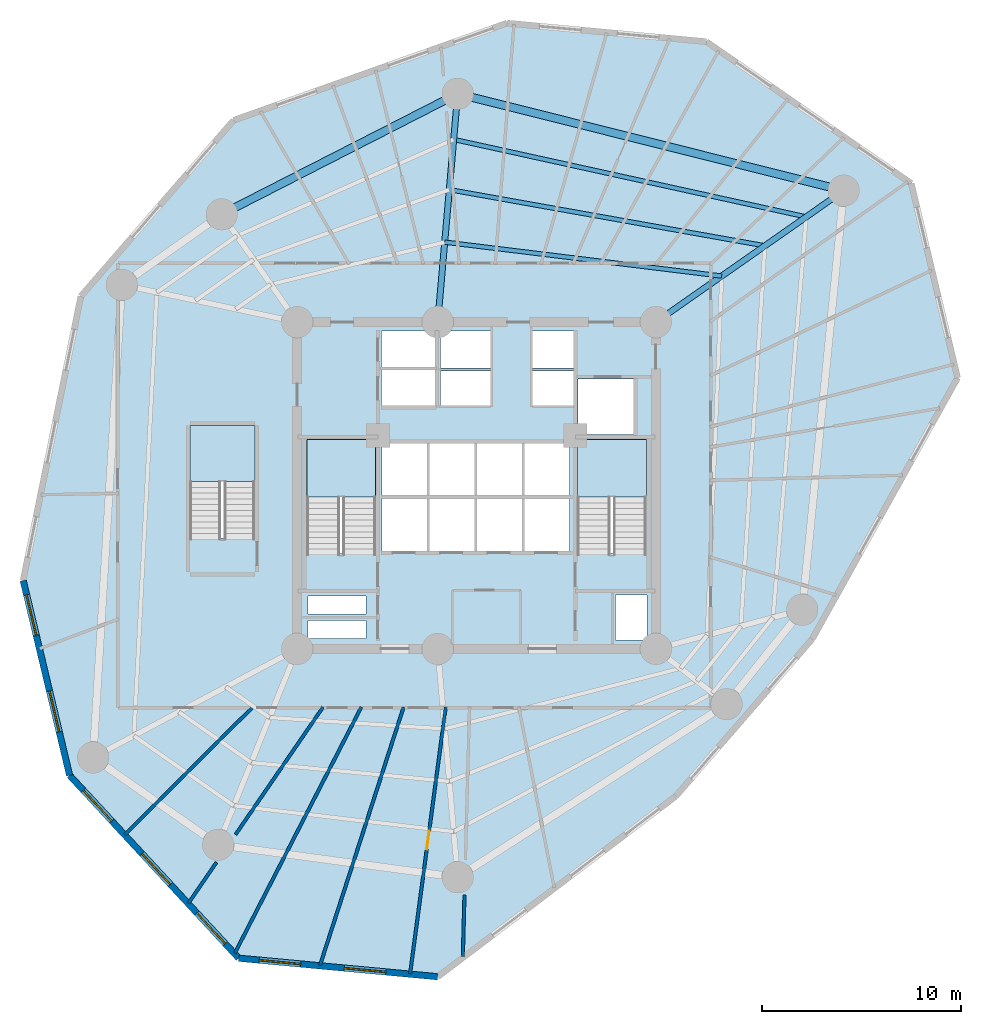
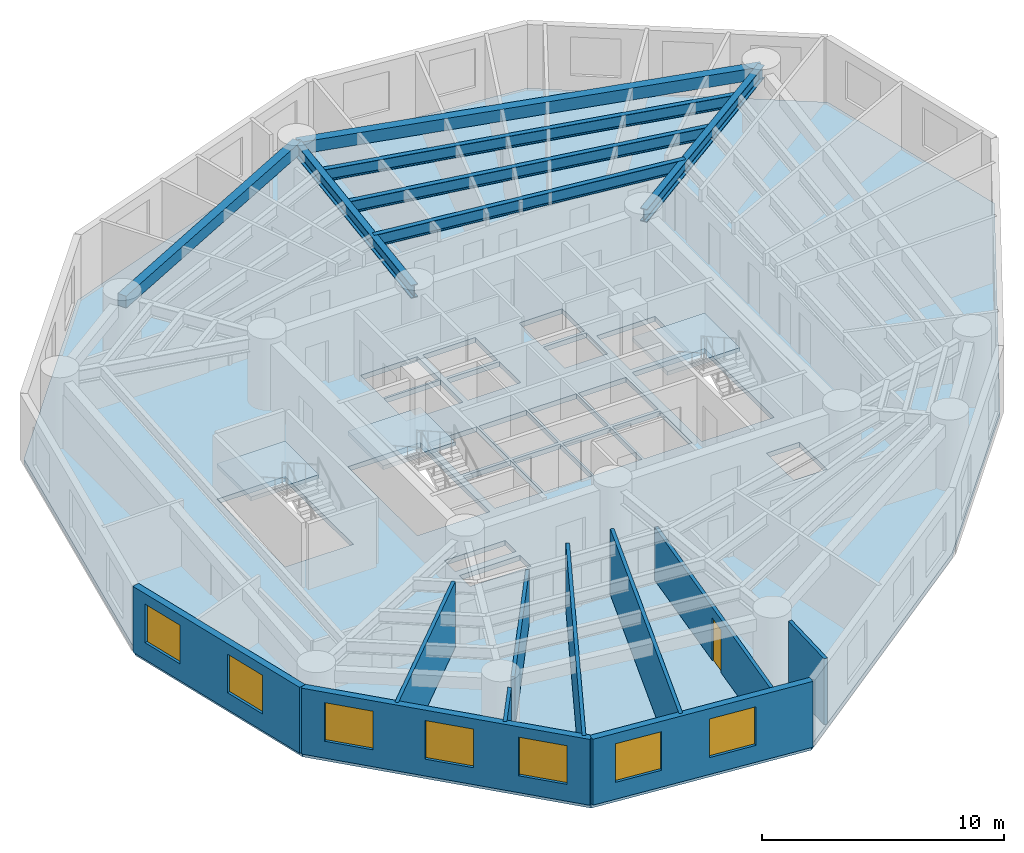
# One storey, part 2 of 8: 10 walls, 7 beams, 7 windows, 4 slabs, 1 door, 8 openings, 3 elements without a shape of their own.
"""IFC4 building model written with IfcOpenShell, lengths in metres."""

from ifc_helpers import new_model, si_unit, direction, frame, frame_2d, origin, origin_with_axes, origin_2d, place, context, subcontext, project, spatial, polyline, rectangle, i_section, outline, extrude, source, transform, mapped, material, layer, layer_set, material_profile, profile_set, type_object, element, fill, aggregate, save


model = new_model("IFC4")

# Units and contexts
model_context = context("Model", 3, precision=1e-05, world=origin(), true_north=direction((0.0, 1.0)))
body_context = subcontext(model_context, "Body", "Model", "MODEL_VIEW")
ifc_project = project(units=[si_unit("LENGTHUNIT", "METRE"), si_unit("AREAUNIT", "SQUARE_METRE"), si_unit("VOLUMEUNIT", "CUBIC_METRE"), si_unit("PLANEANGLEUNIT", "RADIAN"), si_unit("MASSUNIT", "GRAM", prefix="KILO")], contexts=[model_context])

# Site, building, storey
site_placement = place(None, origin())
site = spatial("IfcSite", under=ifc_project, at=site_placement, CompositionType="ELEMENT")
building_placement = place(site_placement, origin())
building = spatial("IfcBuilding", under=site, at=building_placement, Name="Karkom Vertical University and Central Library", CompositionType="ELEMENT")
storey_placement = place(building_placement, frame((0.0, 0.0, 84.10009765625)))
storey = spatial("IfcBuildingStorey", under=building, at=storey_placement, Name="L22", CompositionType="ELEMENT", Elevation=84.10009765625)

# Beams
ifc_material_1 = material(Name="Steel S355", Category="steel")
ifc_material_profile_1 = material_profile(ifc_material_1, i_section(OverallWidth=0.300048828125, OverallDepth=0.64990234375, WebThickness=0.01611328125, FlangeThickness=0.031005859375, FilletRadius=0.027099609375, at=origin_2d()), Name="HE 650 B")
ifc_profile_set_1 = profile_set([ifc_material_profile_1], Name="Steel S355")
beam_type_1 = type_object("IfcBeamType", Name="STR-BM-SB-HE650", PredefinedType="USERDEFINED", material=ifc_profile_set_1)
shared_shape_1 = source(origin_with_axes(), body_context, "Body", "SweptSolid", [
    extrude(i_section(OverallWidth=0.300048828125, OverallDepth=0.64990234375, WebThickness=0.01611328125, FlangeThickness=0.031005859375, FilletRadius=0.027099609375, at=origin_2d()), origin(), (0.0, 0.0, 1.0), 11.49951171875),
])
beam_1_placement = place(storey_placement, frame((37.5, 34.699951171875, 3.0), z_axis=(0.81915012564, 0.573579176457, 0.0), x_axis=(-0.573579176457, 0.81915012564, 0.0)))
element("IfcBeam", 1, at=beam_1_placement, inside=storey, type_object=beam_type_1, Name="Level 22 Radial Frame Girder 02", ObjectType="GIRDER", PredefinedType="USERDEFINED", context=body_context, shape_type="MappedRepresentation", body=[
    mapped(shared_shape_1, transform((0.0, 0.0, 0.0), scale=1.0)),
])
shared_shape_2 = source(origin_with_axes(), body_context, "Body", "SweptSolid", [
    extrude(i_section(OverallWidth=0.300048828125, OverallDepth=0.64990234375, WebThickness=0.01611328125, FlangeThickness=0.031005859375, FilletRadius=0.027099609375, at=origin_2d()), origin(), (0.0, 0.0, 1.0), 11.499755859375),
])
beam_2_placement = place(storey_placement, frame((26.550048828125, 34.699951171875, 3.0), z_axis=(0.087127973109, 0.99619712723, 0.0), x_axis=(-0.99619712723, 0.087127973109, 0.0)))
element("IfcBeam", 2, at=beam_2_placement, inside=storey, type_object=beam_type_1, Name="Level 22 Radial Frame Girder 03", ObjectType="GIRDER", PredefinedType="USERDEFINED", context=body_context, shape_type="MappedRepresentation", body=[
    mapped(shared_shape_2, transform((0.0, 0.0, 0.0), scale=1.0)),
])
ifc_material_2 = material(Name="Precast concrete C45/55", Category="concrete")
ifc_material_profile_2 = material_profile(ifc_material_2, rectangle(XDim=0.39990234375, YDim=0.60009765625, at=origin_2d()), Name="SPB-400x600")
ifc_profile_set_2 = profile_set([ifc_material_profile_2], Name="Precast concrete C45/55")
beam_type_2 = type_object("IfcBeamType", Name="STR-BM-SP-1", PredefinedType="SPANDREL", material=ifc_profile_set_2)
shared_shape_3 = source(origin_with_axes(), body_context, "Body", "SweptSolid", [
    extrude(rectangle(XDim=0.39990234375, YDim=0.60009765625, at=origin_2d()), origin(), (0.0, 0.0, 1.0), 19.968505859375),
])
beam_3_placement = place(storey_placement, frame((46.919921875, 41.2958984375, 3.02490234375), z_axis=(-0.969928522391, 0.243389937039, 0.0), x_axis=(-0.243389937039, -0.969928522391, 0.0)))
element("IfcBeam", 3, at=beam_3_placement, inside=storey, type_object=beam_type_2, Name="Level 22 Perimeter Spandrel Beam 02", PredefinedType="SPANDREL", context=body_context, shape_type="MappedRepresentation", body=[
    mapped(shared_shape_3, transform((0.0, 0.0, 0.0), scale=1.0)),
])
shared_shape_4 = source(origin_with_axes(), body_context, "Body", "SweptSolid", [
    extrude(rectangle(XDim=0.39990234375, YDim=0.60009765625, at=origin_2d()), origin(), (0.0, 0.0, 1.0), 13.29443359375),
])
beam_4_placement = place(storey_placement, frame((27.552001953125, 46.156005859375, 3.02490234375), z_axis=(-0.890447746793, -0.455085497716, 0.0), x_axis=(0.455085497716, -0.890447746793, 0.0)))
element("IfcBeam", 4, at=beam_4_placement, inside=storey, type_object=beam_type_2, Name="Level 22 Perimeter Spandrel Beam 03", PredefinedType="SPANDREL", context=body_context, shape_type="MappedRepresentation", body=[
    mapped(shared_shape_4, transform((0.0, 0.0, 0.0), scale=1.0)),
])
ifc_material_profile_3 = material_profile(ifc_material_1, i_section(OverallWidth=0.219970703125, OverallDepth=0.60009765625, WebThickness=0.011962890625, FlangeThickness=0.01904296875, FilletRadius=0.02392578125, at=origin_2d()), Name="IPE 600")
ifc_profile_set_3 = profile_set([ifc_material_profile_3], Name="Steel S355")
beam_type_3 = type_object("IfcBeamType", Name="STR-BM-SB-IPE600", PredefinedType="BEAM", material=ifc_profile_set_3)
shared_shape_5 = source(origin_with_axes(), body_context, "Body", "SweptSolid", [
    extrude(i_section(OverallWidth=0.219970703125, OverallDepth=0.60009765625, WebThickness=0.011962890625, FlangeThickness=0.01904296875, FilletRadius=0.02392578125, at=origin_2d()), origin(), (0.0, 0.0, 1.0), 14.000244140625),
])
beam_5_placement = place(storey_placement, frame((40.797119140625, 37.008544921875, 3.02490234375), z_axis=(-0.992590166403, 0.121510335198, 0.0), x_axis=(-0.121510335198, -0.992590166403, 0.0)))
element("IfcBeam", 5, at=beam_5_placement, inside=storey, type_object=beam_type_3, Name="Level 22 Secondary Composite Floor Beam 1.02", PredefinedType="BEAM", context=body_context, shape_type="MappedRepresentation", body=[
    mapped(shared_shape_5, transform((0.0, 0.0, 0.0), scale=1.0)),
])
shared_shape_6 = source(origin_with_axes(), body_context, "Body", "SweptSolid", [
    extrude(i_section(OverallWidth=0.219970703125, OverallDepth=0.60009765625, WebThickness=0.011962890625, FlangeThickness=0.01904296875, FilletRadius=0.02392578125, at=origin_2d()), origin(), (0.0, 0.0, 1.0), 16.08154296875),
])
beam_6_placement = place(storey_placement, frame((42.963623046875, 38.525634765625, 3.02490234375), z_axis=(-0.984517708807, 0.175285142111, 0.0), x_axis=(-0.175285142111, -0.984517708807, 0.0)))
element("IfcBeam", 6, at=beam_6_placement, inside=storey, type_object=beam_type_3, Name="Level 22 Secondary Composite Floor Beam 2.02", PredefinedType="BEAM", context=body_context, shape_type="MappedRepresentation", body=[
    mapped(shared_shape_6, transform((0.0, 0.0, 0.0), scale=1.0)),
])
shared_shape_7 = source(origin_with_axes(), body_context, "Body", "SweptSolid", [
    extrude(i_section(OverallWidth=0.219970703125, OverallDepth=0.60009765625, WebThickness=0.011962890625, FlangeThickness=0.01904296875, FilletRadius=0.02392578125, at=origin_2d()), origin(), (0.0, 0.0, 1.0), 18.106689453125),
])
beam_7_placement = place(storey_placement, frame((45.035888671875, 39.976806640625, 3.02490234375), z_axis=(-0.976674731786, 0.214724167926, 0.0), x_axis=(-0.214724167926, -0.976674731786, 0.0)))
element("IfcBeam", 7, at=beam_7_placement, inside=storey, type_object=beam_type_3, Name="Level 22 Secondary Composite Floor Beam 3.02", PredefinedType="BEAM", context=body_context, shape_type="MappedRepresentation", body=[
    mapped(shared_shape_7, transform((0.0, 0.0, 0.0), scale=1.0)),
])

# Stair, slab
ifc_material_3 = material(Name="Concrete C45/55", Category="concrete")
stair_type_1 = type_object("IfcStairType", Name="INT-STR-ST-MAIN", PredefinedType="HALF_TURN_STAIR", material=ifc_material_3)
stair_1_placement = place(storey_placement, origin())
stair_1 = element("IfcStair", 8, at=stair_1_placement, inside=storey, type_object=stair_type_1, Name="Level 22 Tower Protected Exit Stair ST-1", PredefinedType="HALF_TURN_STAIR")
ifc_layer_1 = layer(ifc_material_3, 0.199951171875)
ifc_layer_set_1 = layer_set([ifc_layer_1], Name="Concrete C45/55")
slab_type_1 = type_object("IfcSlabType", Name="INT-SLB-LANDING", PredefinedType="LANDING", material=ifc_layer_set_1)
slab_1_placement = place(storey_placement, frame((0.0, 0.0, 1.599853515625)))
slab_1 = element("IfcSlab", 9, at=slab_1_placement, type_object=slab_type_1, Name="ST-1 landing 1", PredefinedType="LANDING", context=body_context, shape_type="SweptSolid", body=[
    extrude(outline(polyline([(23.43994140625, 25.919921875), (23.43994140625, 28.820068359375), (19.97998046875, 28.820068359375), (19.97998046875, 25.919921875), (23.43994140625, 25.919921875)])), origin(), (0.0, 0.0, 1.0), 0.199951171875),
])
aggregate(stair_1, [slab_1])

stair_2_placement = place(storey_placement, origin())
stair_2 = element("IfcStair", 10, at=stair_2_placement, inside=storey, type_object=stair_type_1, Name="Level 22 Tower Protected Exit Stair ST-2", PredefinedType="HALF_TURN_STAIR")
slab_2_placement = place(storey_placement, frame((0.0, 0.0, 1.599853515625)))
slab_2 = element("IfcSlab", 11, at=slab_2_placement, type_object=slab_type_1, Name="ST-2 landing 1", PredefinedType="LANDING", context=body_context, shape_type="SweptSolid", body=[
    extrude(outline(polyline([(37.02001953125, 25.919921875), (37.02001953125, 28.820068359375), (33.56005859375, 28.820068359375), (33.56005859375, 25.919921875), (37.02001953125, 25.919921875)])), origin(), (0.0, 0.0, 1.0), 0.199951171875),
])
aggregate(stair_2, [slab_2])

stair_type_2 = type_object("IfcStairType", Name="INT-STR-ST-SEC", PredefinedType="HALF_TURN_STAIR", material=ifc_material_3)
stair_3_placement = place(storey_placement, origin())
stair_3 = element("IfcStair", 12, at=stair_3_placement, inside=storey, type_object=stair_type_2, Name="Level 22 Academic Zone Protected Exit Stair ST-3", PredefinedType="HALF_TURN_STAIR")
slab_3_placement = place(storey_placement, frame((0.0, 0.0, 1.599853515625)))
slab_3 = element("IfcSlab", 13, at=slab_3_placement, type_object=slab_type_1, Name="ST-3 landing 1", PredefinedType="LANDING", context=body_context, shape_type="SweptSolid", body=[
    extrude(outline(polyline([(17.3798828125, 26.699951171875), (17.3798828125, 29.5), (14.1201171875, 29.5), (14.1201171875, 26.699951171875), (17.3798828125, 26.699951171875)])), origin(), (0.0, 0.0, 1.0), 0.199951171875),
])
aggregate(stair_3, [slab_3])

# Slab
ifc_layer_2 = layer(ifc_material_3, 0.25)
ifc_layer_set_2 = layer_set([ifc_layer_2], Name="Concrete C45/55")
slab_type_2 = type_object("IfcSlabType", Name="STR-SLB-FLR-250", PredefinedType="FLOOR", material=ifc_layer_set_2)
slab_4_placement = place(storey_placement, frame((0.0, 0.0, -0.25)))
element("IfcSlab", 14, at=slab_4_placement, inside=storey, type_object=slab_type_2, Name="Level 22 Tower Structural Floor Slab", PredefinedType="FLOOR", context=body_context, shape_type="SweptSolid", body=[
    extrude(outline(polyline([(16.306884765625, 44.819091796875), (8.64892578125, 35.997314453125), (5.748779296875, 21.7275390625), (8.076904296875, 11.954833984375), (16.562744140625, 2.779541015625), (26.544189453125, 1.85009765625), (38.4970703125, 10.916259765625), (45.334228515625, 18.792724609375), (52.63037109375, 31.9013671875), (50.306884765625, 41.65283203125), (40.030029296875, 48.7646484375), (30.02734375, 49.6962890625), (16.306884765625, 44.819091796875)]), holes=[polyline([(19.97998046875, 23.0849609375), (23.43994140625, 23.0849609375), (23.43994140625, 28.820068359375), (19.97998046875, 28.820068359375), (19.97998046875, 23.0849609375)]), polyline([(33.56005859375, 23.0849609375), (37.02001953125, 23.0849609375), (37.02001953125, 28.820068359375), (33.56005859375, 28.820068359375), (33.56005859375, 23.0849609375)]), polyline([(14.1201171875, 23.864990234375), (17.3798828125, 23.864990234375), (17.3798828125, 29.5), (14.1201171875, 29.5), (14.1201171875, 23.864990234375)]), polyline([(23.75, 23.199951171875), (26.030029296875, 23.199951171875), (26.030029296875, 25.85009765625), (23.75, 25.85009765625), (23.75, 23.199951171875)]), polyline([(26.1298828125, 23.199951171875), (28.409912109375, 23.199951171875), (28.409912109375, 25.85009765625), (26.1298828125, 25.85009765625), (26.1298828125, 23.199951171875)]), polyline([(28.510009765625, 23.199951171875), (30.7900390625, 23.199951171875), (30.7900390625, 25.85009765625), (28.510009765625, 25.85009765625), (28.510009765625, 23.199951171875)]), polyline([(30.889892578125, 23.199951171875), (33.169921875, 23.199951171875), (33.169921875, 25.85009765625), (30.889892578125, 25.85009765625), (30.889892578125, 23.199951171875)]), polyline([(23.75, 26.0), (26.030029296875, 26.0), (26.030029296875, 28.64990234375), (23.75, 28.64990234375), (23.75, 26.0)]), polyline([(26.1298828125, 26.0), (28.409912109375, 26.0), (28.409912109375, 28.64990234375), (26.1298828125, 28.64990234375), (26.1298828125, 26.0)]), polyline([(28.510009765625, 26.0), (30.7900390625, 26.0), (30.7900390625, 28.64990234375), (28.510009765625, 28.64990234375), (28.510009765625, 26.0)]), polyline([(30.889892578125, 26.0), (33.169921875, 26.0), (33.169921875, 28.64990234375), (30.889892578125, 28.64990234375), (30.889892578125, 26.0)]), polyline([(26.679931640625, 30.5), (29.199951171875, 30.5), (29.199951171875, 32.25), (26.679931640625, 32.25), (26.679931640625, 30.5)]), polyline([(26.679931640625, 32.39990234375), (29.199951171875, 32.39990234375), (29.199951171875, 34.25), (26.679931640625, 34.25), (26.679931640625, 32.39990234375)]), polyline([(31.300048828125, 30.5), (33.35009765625, 30.5), (33.35009765625, 32.25), (31.300048828125, 32.25), (31.300048828125, 30.5)]), polyline([(31.300048828125, 32.39990234375), (33.35009765625, 32.39990234375), (33.35009765625, 34.25), (31.300048828125, 34.25), (31.300048828125, 32.39990234375)]), polyline([(23.719970703125, 30.47998046875), (26.429931640625, 30.47998046875), (26.429931640625, 32.320068359375), (23.719970703125, 32.320068359375), (23.719970703125, 30.47998046875)]), polyline([(23.719970703125, 32.419921875), (26.429931640625, 32.419921875), (26.429931640625, 34.260009765625), (23.719970703125, 34.260009765625), (23.719970703125, 32.419921875)]), polyline([(33.60009765625, 29.050048828125), (36.39990234375, 29.050048828125), (36.39990234375, 31.85009765625), (33.60009765625, 31.85009765625), (33.60009765625, 29.050048828125)]), polyline([(20.050048828125, 18.820068359375), (22.949951171875, 18.820068359375), (22.949951171875, 19.719970703125), (20.050048828125, 19.719970703125), (20.050048828125, 18.820068359375)]), polyline([(20.050048828125, 20.06005859375), (22.949951171875, 20.06005859375), (22.949951171875, 20.9599609375), (20.050048828125, 20.9599609375), (20.050048828125, 20.06005859375)]), polyline([(35.4599609375, 18.760009765625), (37.0400390625, 18.760009765625), (37.0400390625, 21.010009765625), (35.4599609375, 21.010009765625), (35.4599609375, 18.760009765625)])]), origin(), (0.0, 0.0, 1.0), 0.25),
])

# Wall, openings, windows
ifc_material_4 = material(Name="Brick-faced precast concrete C45/55", Category="masonry")
ifc_layer_3 = layer(ifc_material_4, 0.320068359375)
ifc_layer_set_3 = layer_set([ifc_layer_3], Name="Brick-faced precast concrete C45/55")
wall_type_1 = type_object("IfcWallType", Name="ENV-WL-BRK-320", PredefinedType="SOLIDWALL", material=ifc_layer_set_3)
wall_1_placement = place(storey_placement, frame((5.748779296875, 21.7275390625, 0.0), z_axis=(0.0, 0.0, 1.0), x_axis=(0.231742086711, -0.972777263944, 0.0)))
wall_1 = element("IfcWall", 15, at=wall_1_placement, inside=storey, type_object=wall_type_1, Name="Level 22 Brick-Faced Precast Facade Wall 03", PredefinedType="SOLIDWALL", context=body_context, shape_type="SweptSolid", body=[
    extrude(rectangle(XDim=10.046142578125, YDim=0.320068359375, at=frame_2d((5.02294921875, 0.0))), origin(), (0.0, 0.0, 1.0), 3.324951171875),
])
opening_1_placement = place(wall_1_placement, frame((0.734619140625, 0.0, 0.85009765625)))
opening_1 = element("IfcOpeningElement", 16, at=opening_1_placement, cuts=wall_1, Name="Opening WN-03", PredefinedType="OPENING", context=body_context, shape_type="SweptSolid", body=[
    extrude(rectangle(XDim=2.10009765625, YDim=1.949951171875, at=frame_2d((1.050048828125, 0.97509765625))), frame((0.0, 0.169921875, 0.0), z_axis=(0.0, -1.0, 0.0), x_axis=(1.0, 0.0, 0.0)), (0.0, 0.0, 1.0), 0.340087890625),
])
opening_2_placement = place(wall_1_placement, frame((5.697509765625, 0.0, 0.85009765625)))
opening_2 = element("IfcOpeningElement", 17, at=opening_2_placement, cuts=wall_1, Name="Opening WN-03", PredefinedType="OPENING", context=body_context, shape_type="SweptSolid", body=[
    extrude(rectangle(XDim=2.10009765625, YDim=1.949951171875, at=frame_2d((1.050048828125, 0.97509765625))), frame((0.0, 0.169921875, 0.0), z_axis=(0.0, -1.0, 0.0), x_axis=(1.0, 0.0, 0.0)), (0.0, 0.0, 1.0), 0.340087890625),
])
ifc_material_5 = material(Name="Aluminium thermal-break frame with solar-control IGU", Category="aluminium")
window_type = type_object("IfcWindowType", Name="ENV-WIN-WN-03", PartitioningType="SINGLE_PANEL", PredefinedType="WINDOW", material=ifc_material_5)
shared_shape_8 = source(origin_with_axes(), body_context, "Body", "SweptSolid", [
    extrude(rectangle(XDim=2.10009765625, YDim=1.949951171875, at=frame_2d((1.050048828125, 0.97509765625))), frame((0.0, 0.030029296875, 0.0), z_axis=(0.0, -1.0, 0.0), x_axis=(1.0, 0.0, 0.0)), (0.0, 0.0, 1.0), 0.06005859375),
])
window_1_placement = place(opening_1_placement, origin())
window_1 = element("IfcWindow", 18, at=window_1_placement, inside=storey, type_object=window_type, Name="Level 22 Punched Window 3.1", OverallHeight=1.949951171875, OverallWidth=2.10009765625, PartitioningType="SINGLE_PANEL", PredefinedType="WINDOW", context=body_context, shape_type="MappedRepresentation", body=[
    mapped(shared_shape_8, transform((0.0, 0.0, 0.0), scale=1.0)),
])
fill(opening_1, window_1)
window_2_placement = place(opening_2_placement, origin())
window_2 = element("IfcWindow", 19, at=window_2_placement, inside=storey, type_object=window_type, Name="Level 22 Punched Window 3.2", OverallHeight=1.949951171875, OverallWidth=2.10009765625, PartitioningType="SINGLE_PANEL", PredefinedType="WINDOW", context=body_context, shape_type="MappedRepresentation", body=[
    mapped(shared_shape_8, transform((0.0, 0.0, 0.0), scale=1.0)),
])
fill(opening_2, window_2)

wall_2_placement = place(storey_placement, frame((8.076904296875, 11.954833984375, 0.0), z_axis=(0.0, 0.0, 1.0), x_axis=(0.678985658744, -0.734151534235, 0.0)))
wall_2 = element("IfcWall", 20, at=wall_2_placement, inside=storey, type_object=wall_type_1, Name="Level 22 Brick-Faced Precast Facade Wall 04", PredefinedType="SOLIDWALL", context=body_context, shape_type="SweptSolid", body=[
    extrude(rectangle(XDim=12.497802734375, YDim=0.320068359375, at=frame_2d((6.2490234375, 0.0))), origin(), (0.0, 0.0, 1.0), 3.324951171875),
])
opening_3_placement = place(wall_2_placement, frame((1.010986328125, 0.0, 0.85009765625)))
opening_3 = element("IfcOpeningElement", 21, at=opening_3_placement, cuts=wall_2, Name="Opening WN-03", PredefinedType="OPENING", context=body_context, shape_type="SweptSolid", body=[
    extrude(rectangle(XDim=2.10009765625, YDim=1.949951171875, at=frame_2d((1.050048828125, 0.97509765625))), frame((0.0, 0.169921875, 0.0), z_axis=(0.0, -1.0, 0.0), x_axis=(1.0, 0.0, 0.0)), (0.0, 0.0, 1.0), 0.340087890625),
])
opening_4_placement = place(wall_2_placement, frame((5.355712890625, 0.0, 0.85009765625)))
opening_4 = element("IfcOpeningElement", 22, at=opening_4_placement, cuts=wall_2, Name="Opening WN-03", PredefinedType="OPENING", context=body_context, shape_type="SweptSolid", body=[
    extrude(rectangle(XDim=2.10009765625, YDim=1.949951171875, at=frame_2d((1.050048828125, 0.97509765625))), frame((0.0, 0.169921875, 0.0), z_axis=(0.0, -1.0, 0.0), x_axis=(1.0, 0.0, 0.0)), (0.0, 0.0, 1.0), 0.340087890625),
])
opening_5_placement = place(wall_2_placement, frame((9.408203125, 0.0, 0.85009765625)))
opening_5 = element("IfcOpeningElement", 23, at=opening_5_placement, cuts=wall_2, Name="Opening WN-03", PredefinedType="OPENING", context=body_context, shape_type="SweptSolid", body=[
    extrude(rectangle(XDim=2.10009765625, YDim=1.949951171875, at=frame_2d((1.050048828125, 0.97509765625))), frame((0.0, 0.169921875, 0.0), z_axis=(0.0, -1.0, 0.0), x_axis=(1.0, 0.0, 0.0)), (0.0, 0.0, 1.0), 0.340087890625),
])
window_3_placement = place(opening_3_placement, origin())
window_3 = element("IfcWindow", 24, at=window_3_placement, inside=storey, type_object=window_type, Name="Level 22 Punched Window 4.1", OverallHeight=1.949951171875, OverallWidth=2.10009765625, PartitioningType="SINGLE_PANEL", PredefinedType="WINDOW", context=body_context, shape_type="MappedRepresentation", body=[
    mapped(shared_shape_8, transform((0.0, 0.0, 0.0), scale=1.0)),
])
fill(opening_3, window_3)
window_4_placement = place(opening_4_placement, origin())
window_4 = element("IfcWindow", 25, at=window_4_placement, inside=storey, type_object=window_type, Name="Level 22 Punched Window 4.2", OverallHeight=1.949951171875, OverallWidth=2.10009765625, PartitioningType="SINGLE_PANEL", PredefinedType="WINDOW", context=body_context, shape_type="MappedRepresentation", body=[
    mapped(shared_shape_8, transform((0.0, 0.0, 0.0), scale=1.0)),
])
fill(opening_4, window_4)
window_5_placement = place(opening_5_placement, origin())
window_5 = element("IfcWindow", 26, at=window_5_placement, inside=storey, type_object=window_type, Name="Level 22 Punched Window 4.3", OverallHeight=1.949951171875, OverallWidth=2.10009765625, PartitioningType="SINGLE_PANEL", PredefinedType="WINDOW", context=body_context, shape_type="MappedRepresentation", body=[
    mapped(shared_shape_8, transform((0.0, 0.0, 0.0), scale=1.0)),
])
fill(opening_5, window_5)

wall_3_placement = place(storey_placement, frame((16.562744140625, 2.779541015625, 0.0), z_axis=(0.0, 0.0, 1.0), x_axis=(0.995692593076, -0.092716018536, 0.0)))
wall_3 = element("IfcWall", 27, at=wall_3_placement, inside=storey, type_object=wall_type_1, Name="Level 22 Brick-Faced Precast Facade Wall 05", PredefinedType="SOLIDWALL", context=body_context, shape_type="SweptSolid", body=[
    extrude(rectangle(XDim=10.024658203125, YDim=0.320068359375, at=frame_2d((5.01220703125, 0.0))), origin(), (0.0, 0.0, 1.0), 3.324951171875),
])
opening_6_placement = place(wall_3_placement, frame((1.03173828125, 0.0, 0.85009765625)))
opening_6 = element("IfcOpeningElement", 28, at=opening_6_placement, cuts=wall_3, Name="Opening WN-03", PredefinedType="OPENING", context=body_context, shape_type="SweptSolid", body=[
    extrude(rectangle(XDim=2.10009765625, YDim=1.949951171875, at=frame_2d((1.050048828125, 0.97509765625))), frame((0.0, 0.169921875, 0.0), z_axis=(0.0, -1.0, 0.0), x_axis=(1.0, 0.0, 0.0)), (0.0, 0.0, 1.0), 0.340087890625),
])
opening_7_placement = place(wall_3_placement, frame((5.3203125, 0.0, 0.85009765625)))
opening_7 = element("IfcOpeningElement", 29, at=opening_7_placement, cuts=wall_3, Name="Opening WN-03", PredefinedType="OPENING", context=body_context, shape_type="SweptSolid", body=[
    extrude(rectangle(XDim=2.10009765625, YDim=1.949951171875, at=frame_2d((1.050048828125, 0.97509765625))), frame((0.0, 0.169921875, 0.0), z_axis=(0.0, -1.0, 0.0), x_axis=(1.0, 0.0, 0.0)), (0.0, 0.0, 1.0), 0.340087890625),
])
window_6_placement = place(opening_6_placement, origin())
window_6 = element("IfcWindow", 30, at=window_6_placement, inside=storey, type_object=window_type, Name="Level 22 Punched Window 5.1", OverallHeight=1.949951171875, OverallWidth=2.10009765625, PartitioningType="SINGLE_PANEL", PredefinedType="WINDOW", context=body_context, shape_type="MappedRepresentation", body=[
    mapped(shared_shape_8, transform((0.0, 0.0, 0.0), scale=1.0)),
])
fill(opening_6, window_6)
window_7_placement = place(opening_7_placement, origin())
window_7 = element("IfcWindow", 31, at=window_7_placement, inside=storey, type_object=window_type, Name="Level 22 Punched Window 5.2", OverallHeight=1.949951171875, OverallWidth=2.10009765625, PartitioningType="SINGLE_PANEL", PredefinedType="WINDOW", context=body_context, shape_type="MappedRepresentation", body=[
    mapped(shared_shape_8, transform((0.0, 0.0, 0.0), scale=1.0)),
])
fill(opening_7, window_7)

# Walls
ifc_material_6 = material(Name="Insulated metal-stud drywall 160mm", Category="gypsum")
ifc_layer_4 = layer(ifc_material_6, 0.159912109375)
ifc_layer_set_4 = layer_set([ifc_layer_4], Name="Insulated metal-stud drywall 160mm")
wall_type_2 = type_object("IfcWallType", Name="INT-WL-COR-160", PredefinedType="PARTITIONING", material=ifc_layer_set_4)
wall_4_placement = place(storey_placement, frame((22.720703125, 15.389892578125, 0.0), z_axis=(0.0, 0.0, 1.0), x_axis=(-0.457243193553, -0.889341701456, 0.0)))
element("IfcWall", 32, at=wall_4_placement, inside=storey, type_object=wall_type_2, Name="Level 22 Interior Partition Wall L22-PW-006", PredefinedType="PARTITIONING", context=body_context, shape_type="SweptSolid", body=[
    extrude(rectangle(XDim=13.894287109375, YDim=0.159912109375, at=frame_2d((6.947265625, 0.0))), origin(), (0.0, 0.0, 1.0), 3.324951171875),
])
wall_5_placement = place(storey_placement, frame((24.836669921875, 15.37841796875, 0.0), z_axis=(0.0, 0.0, 1.0), x_axis=(-0.308016994019, -0.951380855071, 0.0)))
element("IfcWall", 33, at=wall_5_placement, inside=storey, type_object=wall_type_2, Name="Level 22 Interior Partition Wall L22-PW-007", PredefinedType="PARTITIONING", context=body_context, shape_type="SweptSolid", body=[
    extrude(rectangle(XDim=13.614013671875, YDim=0.159912109375, at=frame_2d((6.80712890625, 0.0))), origin(), (0.0, 0.0, 1.0), 3.324951171875),
])

# Wall, opening, door
wall_6_placement = place(storey_placement, frame((26.9521484375, 15.379638671875, 0.0), z_axis=(0.0, 0.0, 1.0), x_axis=(-0.132553577281, -0.99117584169, 0.0)))
wall_6 = element("IfcWall", 34, at=wall_6_placement, inside=storey, type_object=wall_type_2, Name="Level 22 Interior Partition Wall L22-PW-008", PredefinedType="PARTITIONING", context=body_context, shape_type="SweptSolid", body=[
    extrude(rectangle(XDim=13.4951171875, YDim=0.159912109375, at=frame_2d((6.74755859375, 0.0))), origin(), (0.0, 0.0, 1.0), 2.6748046875),
])
opening_8_placement = place(wall_6_placement, frame((6.2548828125, 0.0, 0.0)))
opening_8 = element("IfcOpeningElement", 35, at=opening_8_placement, cuts=wall_6, Name="Opening D-RM1", PredefinedType="OPENING", context=body_context, shape_type="SweptSolid", body=[
    extrude(rectangle(XDim=0.949951171875, YDim=2.14990234375, at=frame_2d((0.47509765625, 1.074951171875))), frame((0.0, 0.08984375, 0.0), z_axis=(0.0, -1.0, 0.0), x_axis=(1.0, 0.0, 0.0)), (0.0, 0.0, 1.0), 0.179931640625),
])
ifc_material_7 = material(Name="Solid-core oak veneer door", Category="wood")
door_type = type_object("IfcDoorType", Name="INT-DR-RM1", OperationType="NOTDEFINED", PredefinedType="DOOR", material=ifc_material_7)
shared_shape_9 = source(origin_with_axes(), body_context, "Body", "SweptSolid", [
    extrude(rectangle(XDim=0.949951171875, YDim=2.14990234375, at=frame_2d((0.47509765625, 1.074951171875))), frame((0.0, 0.02490234375, 0.0), z_axis=(0.0, -1.0, 0.0), x_axis=(1.0, 0.0, 0.0)), (0.0, 0.0, 1.0), 0.050048828125),
])
door_placement = place(opening_8_placement, origin())
door = element("IfcDoor", 36, at=door_placement, inside=storey, type_object=door_type, Name="Level 22 Room Entry Door 060", OperationType="SINGLE_SWING_LEFT", OverallHeight=2.14990234375, OverallWidth=0.949951171875, PredefinedType="DOOR", context=body_context, shape_type="MappedRepresentation", body=[
    mapped(shared_shape_9, transform((0.0, 0.0, 0.0), scale=1.0)),
])
fill(opening_8, door)

# Walls
wall_7_placement = place(storey_placement, frame((17.265380859375, 15.3818359375, 0.0), z_axis=(0.0, 0.0, 1.0), x_axis=(-0.708103786382, -0.706108368249, 0.0)))
element("IfcWall", 37, at=wall_7_placement, inside=storey, type_object=wall_type_2, Name="Level 22 Interior Partition Wall L22-PW-003", PredefinedType="PARTITIONING", context=body_context, shape_type="SweptSolid", body=[
    extrude(rectangle(XDim=9.053955078125, YDim=0.159912109375, at=frame_2d((4.52685546875, 0.0))), origin(), (0.0, 0.0, 1.0), 3.324951171875),
])
wall_8_placement = place(storey_placement, frame((20.79931640625, 15.38720703125, 0.0), z_axis=(0.0, 0.0, 1.0), x_axis=(-0.565927650829, -0.824454907213, 0.0)))
element("IfcWall", 38, at=wall_8_placement, inside=storey, type_object=wall_type_2, Name="Level 22 Interior Partition Wall L22-PW-004", PredefinedType="PARTITIONING", context=body_context, shape_type="SweptSolid", body=[
    extrude(rectangle(XDim=7.7578125, YDim=0.159912109375, at=frame_2d((3.87890625, 0.0))), origin(), (0.0, 0.0, 1.0), 2.6748046875),
])
wall_9_placement = place(storey_placement, frame((27.892333984375, 5.964111328125, 0.0), z_axis=(0.0, 0.0, 1.0), x_axis=(-0.026645670312, -0.999644941093, 0.0)))
element("IfcWall", 39, at=wall_9_placement, inside=storey, type_object=wall_type_2, Name="Level 22 Interior Partition Wall L22-PW-010", PredefinedType="PARTITIONING", context=body_context, shape_type="SweptSolid", body=[
    extrude(rectangle(XDim=3.106201171875, YDim=0.159912109375, at=frame_2d((1.55322265625, 0.0))), origin(), (0.0, 0.0, 1.0), 3.324951171875),
])
wall_10_placement = place(storey_placement, frame((15.44873046875, 7.592041015625, 0.0), z_axis=(0.0, 0.0, 1.0), x_axis=(-0.565919777612, -0.824460311542, 0.0)))
element("IfcWall", 40, at=wall_10_placement, inside=storey, type_object=wall_type_2, Name="Level 22 Interior Partition Wall L22-PW-005", PredefinedType="PARTITIONING", context=body_context, shape_type="SweptSolid", body=[
    extrude(rectangle(XDim=2.484375, YDim=0.159912109375, at=frame_2d((1.2421875, 0.0))), origin(), (0.0, 0.0, 1.0), 3.324951171875),
])

save(model, "model.ifc")
